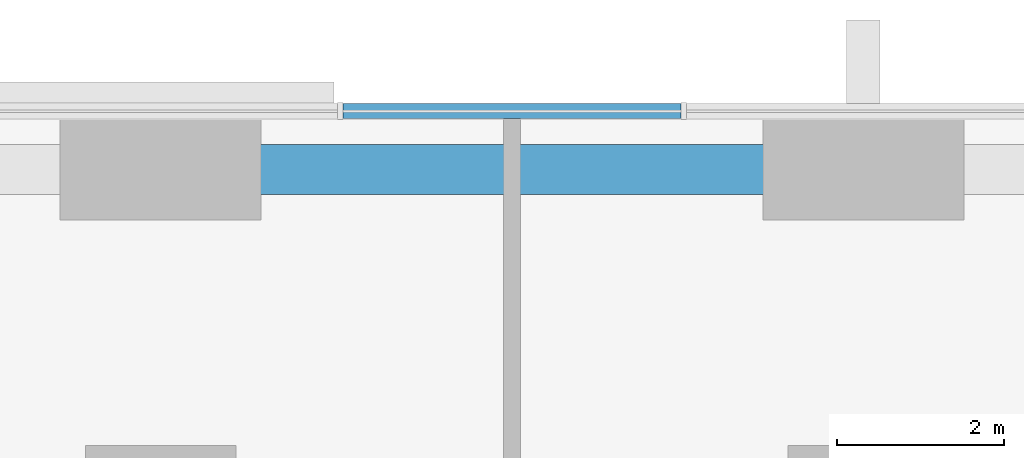
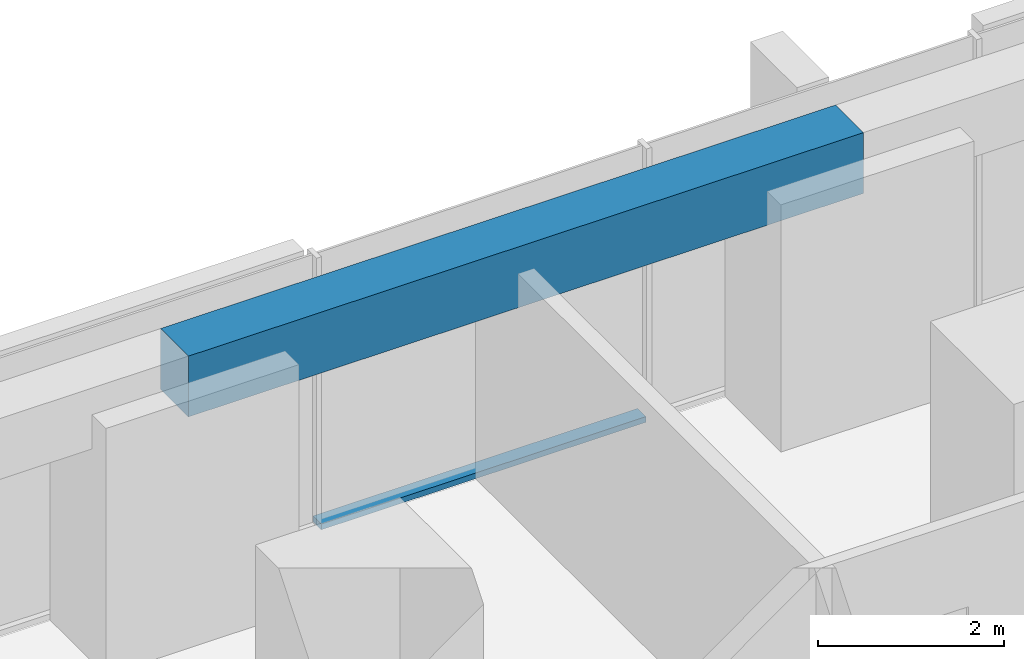
# One storey, part 7 of 17: 1 beam, 1 member, 1 element without a shape of its own.
"""IFC4 building model written with IfcOpenShell, lengths in metres."""

from ifc_helpers import new_model, si_unit, direction, frame, origin, origin_2d, place, context, subcontext, project, spatial, rectangle, extrude, material, material_profile, profile_set, type_object, element, aggregate, save


model = new_model("IFC4")

# Units and contexts
model_context = context("Model", 3, precision=1e-05, world=origin(), true_north=direction((0.0, 1.0)))
body_context = subcontext(model_context, "Body", "Model", "MODEL_VIEW")
ifc_project = project(units=[si_unit("LENGTHUNIT", "METRE"), si_unit("AREAUNIT", "SQUARE_METRE"), si_unit("VOLUMEUNIT", "CUBIC_METRE"), si_unit("PLANEANGLEUNIT", "RADIAN"), si_unit("MASSUNIT", "GRAM", prefix="KILO")], contexts=[model_context])

# Site, building, storey
site_placement = place(None, origin())
site = spatial("IfcSite", under=ifc_project, at=site_placement, CompositionType="ELEMENT")
building_placement = place(site_placement, origin())
building = spatial("IfcBuilding", under=site, at=building_placement, Name="Dunama Terrace Hotel", CompositionType="ELEMENT")
storey_placement = place(building_placement, frame((0.0, 0.0, 34.199951171875)))
storey = spatial("IfcBuildingStorey", under=building, at=storey_placement, Name="L07", CompositionType="ELEMENT", Elevation=34.199951171875)

# Curtain wall, member
ifc_material_1 = material(Name="Aluminium curtain wall system", Category="aluminium")
curtain_wall_type = type_object("IfcCurtainWallType", Name="Unitised fritted glass wall CW-A", PredefinedType="NOTDEFINED", material=ifc_material_1)
curtain_wall_placement = place(storey_placement, origin())
curtain_wall = element("IfcCurtainWall", 1, at=curtain_wall_placement, inside=storey, type_object=curtain_wall_type, Name="Unitised fritted glass wall CW-A L07", PredefinedType="NOTDEFINED")
ifc_material_2 = material(Name="Aluminium transom", Category="aluminium")
ifc_material_profile_1 = material_profile(ifc_material_2, rectangle(XDim=0.179931640625, YDim=0.074951171875, at=origin_2d()), Name="CWA TRANSOM 180X75")
ifc_profile_set_1 = profile_set([ifc_material_profile_1], Name="Aluminium transom")
member_type = type_object("IfcMemberType", Name="CWA transom 180x75", PredefinedType="USERDEFINED", material=ifc_profile_set_1)
member_placement = place(storey_placement, frame((31.4208984375, 58.89990234375, 0.03759765625), z_axis=(-1.0, 0.0, 0.0), x_axis=(0.0, -1.0, 0.0)))
member = element("IfcMember", 2, at=member_placement, type_object=member_type, Name="CWA transom", ObjectType="TRANSOM", PredefinedType="USERDEFINED", context=body_context, shape_type="SweptSolid", body=[
    extrude(rectangle(XDim=0.179931640625, YDim=0.074951171875, at=origin_2d()), origin(), (0.0, 0.0, 1.0), 4.0419921875),
])
aggregate(curtain_wall, [member])

# Beam
ifc_material_3 = material(Name="Concrete C40/50", Category="concrete")
ifc_material_profile_2 = material_profile(ifc_material_3, rectangle(XDim=0.60009765625, YDim=0.800048828125, at=origin_2d()), Name="RC 600x800")
ifc_profile_set_2 = profile_set([ifc_material_profile_2], Name="Concrete C40/50")
beam_type = type_object("IfcBeamType", Name="Edge beam RC 600x800", PredefinedType="SPANDREL", material=ifc_profile_set_2)
beam_placement = place(storey_placement, frame((25.199951171875, 58.199951171875, 3.199951171875), z_axis=(1.0, 0.0, 0.0), x_axis=(0.0, 1.0, 0.0)))
element("IfcBeam", 3, at=beam_placement, inside=storey, type_object=beam_type, Name="Edge beam under L08", PredefinedType="SPANDREL", context=body_context, shape_type="SweptSolid", body=[
    extrude(rectangle(XDim=0.60009765625, YDim=0.800048828125, at=origin_2d()), origin(), (0.0, 0.0, 1.0), 8.400146484375),
])

save(model, "model.ifc")
